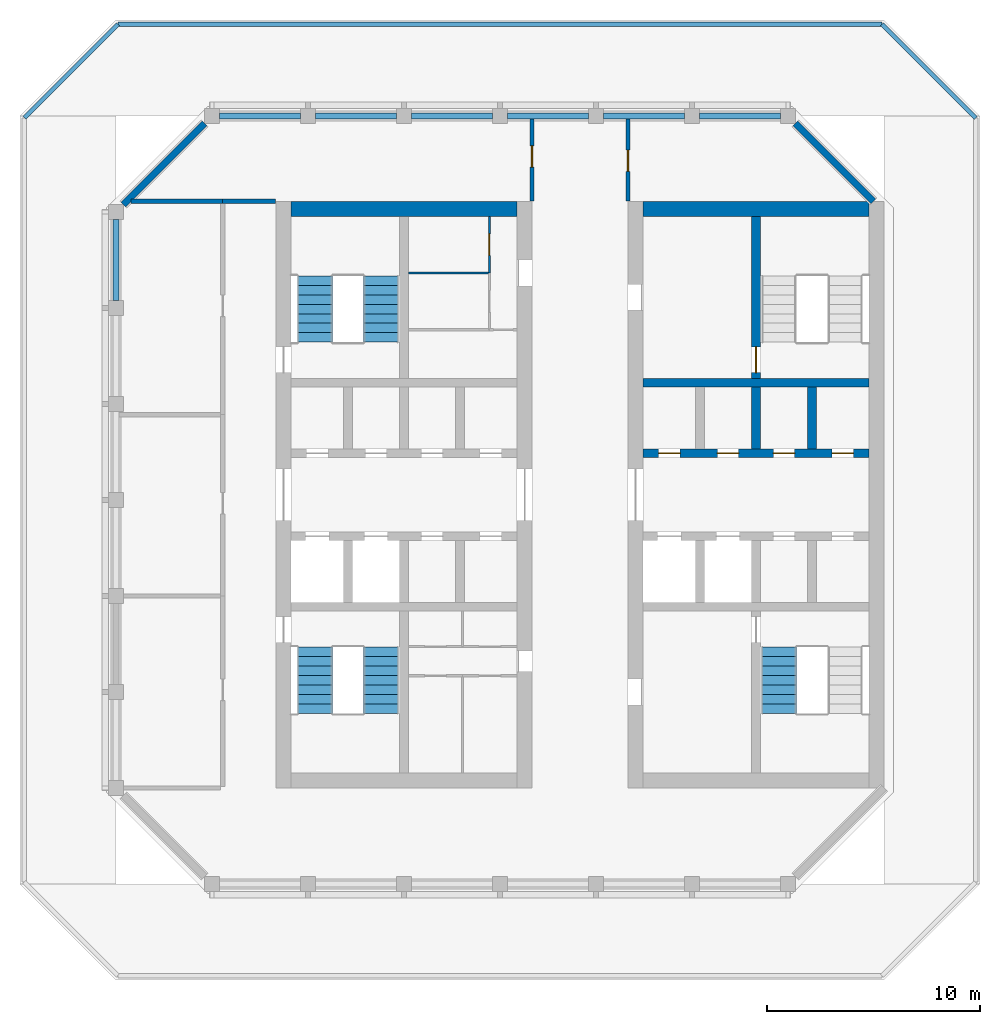
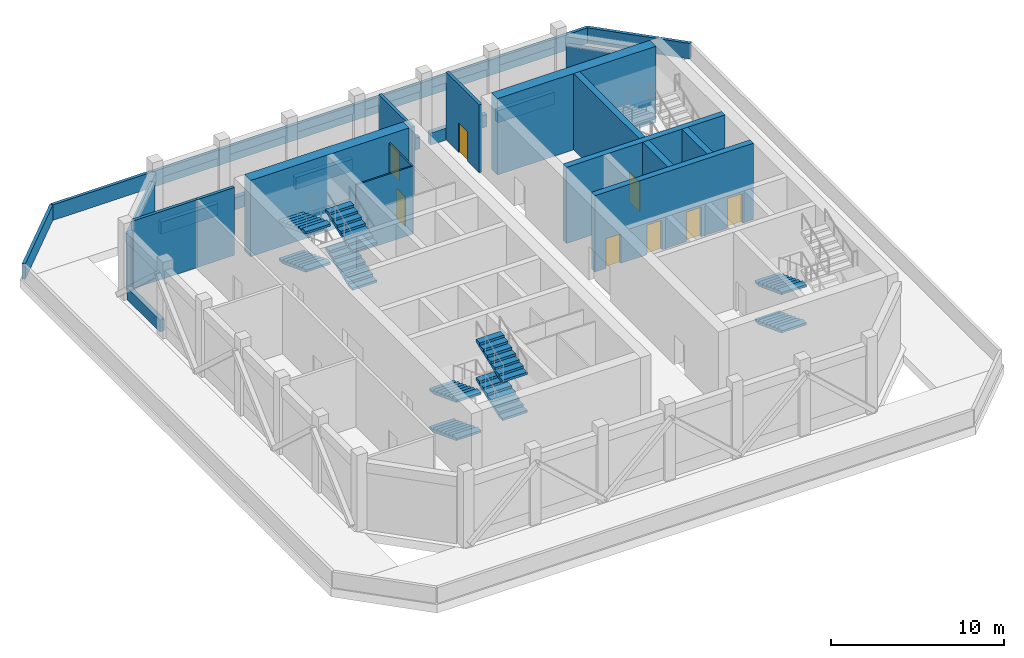
# One storey, part 4 of 8: 25 walls, 10 stair flights, 8 doors, 8 openings, 3 elements without a shape of their own.
"""IFC4 building model written with IfcOpenShell, lengths in metres."""

from ifc_helpers import new_model, si_unit, direction, frame, frame_2d, origin, place, context, subcontext, project, spatial, polyline, rectangle, outline, extrude, material, layer, layer_set, type_object, element, fill, aggregate, save


model = new_model("IFC4")

# Units and contexts
model_context = context("Model", 3, precision=1e-05, world=origin(), true_north=direction((0.0, 1.0)))
body_context = subcontext(model_context, "Body", "Model", "MODEL_VIEW")
ifc_project = project(units=[si_unit("LENGTHUNIT", "METRE"), si_unit("AREAUNIT", "SQUARE_METRE"), si_unit("VOLUMEUNIT", "CUBIC_METRE"), si_unit("PLANEANGLEUNIT", "RADIAN"), si_unit("MASSUNIT", "GRAM", prefix="KILO")], contexts=[model_context])

# Site, building, storey
site_placement = place(None, origin())
site = spatial("IfcSite", under=ifc_project, at=site_placement, CompositionType="ELEMENT")
building_placement = place(site_placement, origin())
building = spatial("IfcBuilding", under=site, at=building_placement, Name="Corbel Stack Research Tower", CompositionType="ELEMENT")
storey_placement = place(building_placement, frame((0.0, 0.0, 301.0)))
storey = spatial("IfcBuildingStorey", under=building, at=storey_placement, Name="L68", CompositionType="ELEMENT", Elevation=301.0)

# Walls
ifc_material_1 = material(Name="Concrete blockwork C20/25", Category="masonry")
ifc_layer_1 = layer(ifc_material_1, 0.199951171875)
ifc_layer_set_1 = layer_set([ifc_layer_1], Name="Concrete blockwork C20/25")
wall_type_1 = type_object("IfcWallType", Name="Blockwork partition 200", PredefinedType="PARTITIONING", material=ifc_layer_set_1)
wall_1_placement = place(storey_placement, frame((-17.294921875, 18.5, 0.0), z_axis=(0.0, 0.0, 1.0), x_axis=(1.0, 0.0, 0.0)))
element("IfcWall", 1, at=wall_1_placement, inside=storey, type_object=wall_type_1, Name="Partition L68-04", PredefinedType="PARTITIONING", context=body_context, shape_type="SweptSolid", body=[
    extrude(rectangle(XDim=4.294921875, YDim=0.199951171875, at=frame_2d((2.1474609375, 0.0))), origin(), (0.0, 0.0, 1.0), 4.800048828125),
])
wall_2_placement = place(storey_placement, frame((-13.0, 18.5, 0.0), z_axis=(0.0, 0.0, 1.0), x_axis=(1.0, 0.0, 0.0)))
element("IfcWall", 2, at=wall_2_placement, inside=storey, type_object=wall_type_1, Name="Partition L68-08", PredefinedType="PARTITIONING", context=body_context, shape_type="SweptSolid", body=[
    extrude(rectangle(XDim=2.47998046875, YDim=0.199951171875, at=frame_2d((1.239990234375, 0.0))), origin(), (0.0, 0.0, 1.0), 4.800048828125),
])

# Wall, opening, door
wall_3_placement = place(storey_placement, frame((1.5, 18.52001953125, 0.0), z_axis=(0.0, 0.0, 1.0), x_axis=(0.0, 1.0, 0.0)))
wall_3 = element("IfcWall", 3, at=wall_3_placement, inside=storey, type_object=wall_type_1, Name="Partition L68-09", PredefinedType="PARTITIONING", context=body_context, shape_type="SweptSolid", body=[
    extrude(rectangle(XDim=3.8349609375, YDim=0.199951171875, at=frame_2d((1.91748046875, 0.0))), origin(), (0.0, 0.0, 1.0), 4.800048828125),
])
opening_1_placement = place(wall_3_placement, frame((1.580078125, 0.0, 0.0)))
opening_1 = element("IfcOpeningElement", 4, at=opening_1_placement, cuts=wall_3, Name="Opening D68-04", PredefinedType="OPENING", context=body_context, shape_type="SweptSolid", body=[
    extrude(rectangle(XDim=1.0, YDim=2.10009765625, at=frame_2d((0.5, 1.050048828125))), frame((0.0, 0.10986328125, 0.0), z_axis=(0.0, -1.0, 0.0), x_axis=(1.0, 0.0, 0.0)), (0.0, 0.0, 1.0), 0.219970703125),
])
ifc_material_2 = material(Name="Steel, painted", Category="steel")
door_type_1 = type_object("IfcDoorType", Name="Steel door 1000 x 2100 FD90", OperationType="SINGLE_SWING_LEFT", PredefinedType="DOOR", material=ifc_material_2)
door_1_placement = place(opening_1_placement, origin())
door_1 = element("IfcDoor", 5, at=door_1_placement, inside=storey, type_object=door_type_1, Name="Water tank and pump room door", OperationType="SINGLE_SWING_LEFT", OverallHeight=2.10009765625, OverallWidth=1.0, PredefinedType="DOOR", context=body_context, shape_type="SweptSolid", body=[
    extrude(rectangle(XDim=1.0, YDim=2.10009765625, at=frame_2d((0.5, 1.050048828125))), frame((0.0, 0.02490234375, 0.0), z_axis=(0.0, -1.0, 0.0), x_axis=(1.0, 0.0, 0.0)), (0.0, 0.0, 1.0), 0.050048828125),
])
fill(opening_1, door_1)

wall_4_placement = place(storey_placement, frame((6.0, 22.35498046875, 0.0), z_axis=(0.0, 0.0, 1.0), x_axis=(0.0, -1.0, 0.0)))
wall_4 = element("IfcWall", 6, at=wall_4_placement, inside=storey, type_object=wall_type_1, Name="Partition L68-10", PredefinedType="PARTITIONING", context=body_context, shape_type="SweptSolid", body=[
    extrude(rectangle(XDim=3.8349609375, YDim=0.199951171875, at=frame_2d((1.91748046875, 0.0))), origin(), (0.0, 0.0, 1.0), 4.800048828125),
])
opening_2_placement = place(wall_4_placement, frame((1.455078125, 0.0, 0.0)))
opening_2 = element("IfcOpeningElement", 7, at=opening_2_placement, cuts=wall_4, Name="Opening D68-05", PredefinedType="OPENING", context=body_context, shape_type="SweptSolid", body=[
    extrude(rectangle(XDim=1.0, YDim=2.10009765625, at=frame_2d((0.5, 1.050048828125))), frame((0.0, 0.10986328125, 0.0), z_axis=(0.0, -1.0, 0.0), x_axis=(1.0, 0.0, 0.0)), (0.0, 0.0, 1.0), 0.219970703125),
])
door_2_placement = place(opening_2_placement, origin())
door_2 = element("IfcDoor", 8, at=door_2_placement, inside=storey, type_object=door_type_1, Name="Fire pump room door", OperationType="SINGLE_SWING_LEFT", OverallHeight=2.10009765625, OverallWidth=1.0, PredefinedType="DOOR", context=body_context, shape_type="SweptSolid", body=[
    extrude(rectangle(XDim=1.0, YDim=2.10009765625, at=frame_2d((0.5, 1.050048828125))), frame((0.0, 0.02490234375, 0.0), z_axis=(0.0, -1.0, 0.0), x_axis=(1.0, 0.0, 0.0)), (0.0, 0.0, 1.0), 0.050048828125),
])
fill(opening_2, door_2)

# Wall, openings, doors
ifc_material_3 = material(Name="Concrete C60/75", Category="concrete")
ifc_layer_2 = layer(ifc_material_3, 0.39990234375)
ifc_layer_set_2 = layer_set([ifc_layer_2], Name="Concrete C60/75")
wall_type_2 = type_object("IfcWallType", Name="CW-400-60", PredefinedType="SHEAR", material=ifc_layer_set_2)
wall_5_placement = place(storey_placement, frame((6.699951171875, 6.699951171875, 0.0), z_axis=(0.0, 0.0, 1.0), x_axis=(1.0, 0.0, 0.0)))
wall_5 = element("IfcWall", 9, at=wall_5_placement, inside=storey, type_object=wall_type_2, Name="East core wall, lobby north L68", PredefinedType="SHEAR", context=body_context, shape_type="SweptSolid", body=[
    extrude(rectangle(XDim=10.60009765625, YDim=0.39990234375, at=frame_2d((5.300048828125, 0.0))), origin(), (0.0, 0.0, 1.0), 5.39990234375),
])
opening_3_placement = place(wall_5_placement, frame((0.737548828125, 0.0, 0.0)))
opening_3 = element("IfcOpeningElement", 10, at=opening_3_placement, cuts=wall_5, Name="Opening CR-E54v-N1", PredefinedType="OPENING", context=body_context, shape_type="SweptSolid", body=[
    extrude(rectangle(XDim=1.0, YDim=2.10009765625, at=frame_2d((0.5, 1.050048828125))), frame((0.0, 0.2099609375, 0.0), z_axis=(0.0, -1.0, 0.0), x_axis=(1.0, 0.0, 0.0)), (0.0, 0.0, 1.0), 0.419921875),
])
opening_4_placement = place(wall_5_placement, frame((3.487548828125, 0.0, 0.0)))
opening_4 = element("IfcOpeningElement", 11, at=opening_4_placement, cuts=wall_5, Name="Opening CR-E54v-N2", PredefinedType="OPENING", context=body_context, shape_type="SweptSolid", body=[
    extrude(rectangle(XDim=1.0, YDim=2.10009765625, at=frame_2d((0.5, 1.050048828125))), frame((0.0, 0.2099609375, 0.0), z_axis=(0.0, -1.0, 0.0), x_axis=(1.0, 0.0, 0.0)), (0.0, 0.0, 1.0), 0.419921875),
])
opening_5_placement = place(wall_5_placement, frame((6.112548828125, 0.0, 0.0)))
opening_5 = element("IfcOpeningElement", 12, at=opening_5_placement, cuts=wall_5, Name="Opening CR-E54v-N3", PredefinedType="OPENING", context=body_context, shape_type="SweptSolid", body=[
    extrude(rectangle(XDim=1.0, YDim=2.10009765625, at=frame_2d((0.5, 1.050048828125))), frame((0.0, 0.2099609375, 0.0), z_axis=(0.0, -1.0, 0.0), x_axis=(1.0, 0.0, 0.0)), (0.0, 0.0, 1.0), 0.419921875),
])
opening_6_placement = place(wall_5_placement, frame((8.862548828125, 0.0, 0.0)))
opening_6 = element("IfcOpeningElement", 13, at=opening_6_placement, cuts=wall_5, Name="Opening CR-E54v-N4", PredefinedType="OPENING", context=body_context, shape_type="SweptSolid", body=[
    extrude(rectangle(XDim=1.0, YDim=2.10009765625, at=frame_2d((0.5, 1.050048828125))), frame((0.0, 0.2099609375, 0.0), z_axis=(0.0, -1.0, 0.0), x_axis=(1.0, 0.0, 0.0)), (0.0, 0.0, 1.0), 0.419921875),
])
ifc_material_4 = material(Name="Painted steel door", Category="steel")
door_type_2 = type_object("IfcDoorType", Name="Service door 1000 x 2100 FD60 left hand", OperationType="SINGLE_SWING_LEFT", PredefinedType="DOOR", material=ifc_material_4)
door_3_placement = place(opening_3_placement, origin())
door_3 = element("IfcDoor", 14, at=door_3_placement, inside=storey, type_object=door_type_2, Name="Mechanical room door E core", OperationType="SINGLE_SWING_LEFT", OverallHeight=2.10009765625, OverallWidth=1.0, PredefinedType="DOOR", context=body_context, shape_type="SweptSolid", body=[
    extrude(rectangle(XDim=1.0, YDim=2.10009765625, at=frame_2d((0.5, 1.050048828125))), frame((0.0, 0.02490234375, 0.0), z_axis=(0.0, -1.0, 0.0), x_axis=(1.0, 0.0, 0.0)), (0.0, 0.0, 1.0), 0.050048828125),
])
fill(opening_3, door_3)
door_4_placement = place(opening_5_placement, origin())
door_4 = element("IfcDoor", 15, at=door_4_placement, inside=storey, type_object=door_type_2, Name="Electrical switch room door E core", OperationType="SINGLE_SWING_LEFT", OverallHeight=2.10009765625, OverallWidth=1.0, PredefinedType="DOOR", context=body_context, shape_type="SweptSolid", body=[
    extrude(rectangle(XDim=1.0, YDim=2.10009765625, at=frame_2d((0.5, 1.050048828125))), frame((0.0, 0.02490234375, 0.0), z_axis=(0.0, -1.0, 0.0), x_axis=(1.0, 0.0, 0.0)), (0.0, 0.0, 1.0), 0.050048828125),
])
fill(opening_5, door_4)
ifc_material_5 = material(Name="Painted steel door", Category="steel")
door_type_3 = type_object("IfcDoorType", Name="Service door 1000 x 2100 FD60 right hand", OperationType="SINGLE_SWING_RIGHT", PredefinedType="DOOR", material=ifc_material_5)
door_5_placement = place(opening_4_placement, origin())
door_5 = element("IfcDoor", 16, at=door_5_placement, inside=storey, type_object=door_type_3, Name="Electrical switch room door E core", OperationType="SINGLE_SWING_RIGHT", OverallHeight=2.10009765625, OverallWidth=1.0, PredefinedType="DOOR", context=body_context, shape_type="SweptSolid", body=[
    extrude(rectangle(XDim=1.0, YDim=2.10009765625, at=frame_2d((0.5, 1.050048828125))), frame((0.0, 0.02490234375, 0.0), z_axis=(0.0, -1.0, 0.0), x_axis=(1.0, 0.0, 0.0)), (0.0, 0.0, 1.0), 0.050048828125),
])
fill(opening_4, door_5)
door_6_placement = place(opening_6_placement, origin())
door_6 = element("IfcDoor", 17, at=door_6_placement, inside=storey, type_object=door_type_3, Name="Electrical switch room door E core", OperationType="SINGLE_SWING_RIGHT", OverallHeight=2.10009765625, OverallWidth=1.0, PredefinedType="DOOR", context=body_context, shape_type="SweptSolid", body=[
    extrude(rectangle(XDim=1.0, YDim=2.10009765625, at=frame_2d((0.5, 1.050048828125))), frame((0.0, 0.02490234375, 0.0), z_axis=(0.0, -1.0, 0.0), x_axis=(1.0, 0.0, 0.0)), (0.0, 0.0, 1.0), 0.050048828125),
])
fill(opening_6, door_6)

# Walls
wall_6_placement = place(storey_placement, frame((6.699951171875, 10.0, 0.0), z_axis=(0.0, 0.0, 1.0), x_axis=(1.0, 0.0, 0.0)))
element("IfcWall", 18, at=wall_6_placement, inside=storey, type_object=wall_type_2, Name="East core wall, north row back L68", PredefinedType="SHEAR", context=body_context, shape_type="SweptSolid", body=[
    extrude(rectangle(XDim=10.60009765625, YDim=0.39990234375, at=frame_2d((5.300048828125, 0.0))), origin(), (0.0, 0.0, 1.0), 5.39990234375),
])
for number, where, z_axis, x_axis, name in (
    (19, (12.0, 6.89990234375, 0.0), (0.0, 0.0, 1.0), (0.0, 1.0, 0.0), "East core wall, north shaft 2 L68"),
    (20, (14.625, 6.89990234375, 0.0), (0.0, 0.0, 1.0), (0.0, 1.0, 0.0), "East core wall, north shaft 3 L68"),
):
    element("IfcWall", number, at=place(storey_placement, frame(where, z_axis=z_axis, x_axis=x_axis)), inside=storey, type_object=wall_type_2, Name=name, PredefinedType="SHEAR", context=body_context, shape_type="SweptSolid", body=[
        extrude(rectangle(XDim=2.900146484375, YDim=0.39990234375, at=frame_2d((1.4501953125, 0.0))), origin(), (0.0, 0.0, 1.0), 5.39990234375),
    ])

# Wall, opening, door
wall_7_placement = place(storey_placement, frame((12.0, 10.199951171875, 0.0), z_axis=(0.0, 0.0, 1.0), x_axis=(0.0, 1.0, 0.0)))
wall_7 = element("IfcWall", 21, at=wall_7_placement, inside=storey, type_object=wall_type_2, Name="East core wall, north stair and riser L68", PredefinedType="SHEAR", context=body_context, shape_type="SweptSolid", body=[
    extrude(rectangle(XDim=7.60009765625, YDim=0.39990234375, at=frame_2d((3.800048828125, 0.0))), origin(), (0.0, 0.0, 1.0), 5.39990234375),
])
opening_7_placement = place(wall_7_placement, frame((0.27490234375, 0.0, 0.0)))
opening_7 = element("IfcOpeningElement", 22, at=opening_7_placement, cuts=wall_7, Name="Opening SD-ST-E2", PredefinedType="OPENING", context=body_context, shape_type="SweptSolid", body=[
    extrude(rectangle(XDim=1.199951171875, YDim=2.10009765625, at=frame_2d((0.60009765625, 1.050048828125))), frame((0.0, 0.2099609375, 0.0), z_axis=(0.0, -1.0, 0.0), x_axis=(1.0, 0.0, 0.0)), (0.0, 0.0, 1.0), 0.419921875),
])
ifc_material_6 = material(Name="Painted steel fire door", Category="steel")
door_type_4 = type_object("IfcDoorType", Name="Stair door 1200 x 2100 FD90 right hand", OperationType="SINGLE_SWING_RIGHT", PredefinedType="DOOR", material=ifc_material_6)
door_7_placement = place(opening_7_placement, origin())
door_7 = element("IfcDoor", 23, at=door_7_placement, inside=storey, type_object=door_type_4, Name="Stair door ST-E2", OperationType="SINGLE_SWING_RIGHT", OverallHeight=2.10009765625, OverallWidth=1.199951171875, PredefinedType="DOOR", context=body_context, shape_type="SweptSolid", body=[
    extrude(rectangle(XDim=1.199951171875, YDim=2.10009765625, at=frame_2d((0.60009765625, 1.050048828125))), frame((0.0, 0.02490234375, 0.0), z_axis=(0.0, -1.0, 0.0), x_axis=(1.0, 0.0, 0.0)), (0.0, 0.0, 1.0), 0.050048828125),
])
fill(opening_7, door_7)

# Walls
ifc_material_7 = material(Name="Concrete C60/75", Category="concrete")
ifc_layer_3 = layer(ifc_material_7, 0.699951171875)
ifc_layer_set_3 = layer_set([ifc_layer_3], Name="Concrete C60/75")
wall_type_3 = type_object("IfcWallType", Name="CW-700-60", PredefinedType="SHEAR", material=ifc_layer_set_3)
for number, where, z_axis, x_axis, name in (
    (24, (-9.800048828125, 18.14990234375, 0.0), (0.0, 0.0, 1.0), (1.0, 0.0, 0.0), "West core wall, north end L68"),
    (25, (6.699951171875, 18.14990234375, 0.0), (0.0, 0.0, 1.0), (1.0, 0.0, 0.0), "East core wall, north end L68"),
):
    element("IfcWall", number, at=place(storey_placement, frame(where, z_axis=z_axis, x_axis=x_axis)), inside=storey, type_object=wall_type_3, Name=name, PredefinedType="SHEAR", context=body_context, shape_type="SweptSolid", body=[
        extrude(rectangle(XDim=10.60009765625, YDim=0.699951171875, at=frame_2d((5.300048828125, 0.0))), origin(), (0.0, 0.0, 1.0), 5.39990234375),
    ])

# Wall, opening, door
ifc_material_8 = material(Name="Gypsum board")
ifc_layer_4 = layer(ifc_material_8, 0.10009765625)
ifc_layer_set_4 = layer_set([ifc_layer_4], Name="Gypsum board")
wall_type_4 = type_object("IfcWallType", Name="Core partition 100", PredefinedType="PARTITIONING", material=ifc_layer_set_4)
wall_8_placement = place(storey_placement, frame((-0.5, 15.139892578125, 0.0), z_axis=(0.0, 0.0, 1.0), x_axis=(0.0, 1.0, 0.0)))
wall_8 = element("IfcWall", 26, at=wall_8_placement, inside=storey, type_object=wall_type_4, Name="Core partition W", PredefinedType="PARTITIONING", context=body_context, shape_type="SweptSolid", body=[
    extrude(rectangle(XDim=2.66015625, YDim=0.10009765625, at=frame_2d((1.330078125, 0.0))), origin(), (0.0, 0.0, 1.0), 4.800048828125),
])
opening_8_placement = place(wall_8_placement, frame((0.830078125, 0.0, 0.0)))
opening_8 = element("IfcOpeningElement", 27, at=opening_8_placement, cuts=wall_8, Name="Opening CR-W54-R4-1000", PredefinedType="OPENING", context=body_context, shape_type="SweptSolid", body=[
    extrude(rectangle(XDim=1.0, YDim=2.10009765625, at=frame_2d((0.5, 1.050048828125))), frame((0.0, 0.06005859375, 0.0), z_axis=(0.0, -1.0, 0.0), x_axis=(1.0, 0.0, 0.0)), (0.0, 0.0, 1.0), 0.1201171875),
])
ifc_material_9 = material(Name="Painted steel door", Category="steel")
door_type_5 = type_object("IfcDoorType", Name="Service door 1000 x 2100 FD30 right hand", OperationType="SINGLE_SWING_RIGHT", PredefinedType="DOOR", material=ifc_material_9)
door_8_placement = place(opening_8_placement, origin())
door_8 = element("IfcDoor", 28, at=door_8_placement, inside=storey, type_object=door_type_5, Name="Copy and supply store door W core", OperationType="SINGLE_SWING_RIGHT", OverallHeight=2.10009765625, OverallWidth=1.0, PredefinedType="DOOR", context=body_context, shape_type="SweptSolid", body=[
    extrude(rectangle(XDim=1.0, YDim=2.10009765625, at=frame_2d((0.5, 1.050048828125))), frame((0.0, 0.02490234375, 0.0), z_axis=(0.0, -1.0, 0.0), x_axis=(1.0, 0.0, 0.0)), (0.0, 0.0, 1.0), 0.050048828125),
])
fill(opening_8, door_8)

# Walls
wall_9_placement = place(storey_placement, frame((-4.300048828125, 15.139892578125, 0.0), z_axis=(0.0, 0.0, 1.0), x_axis=(1.0, 0.0, 0.0)))
element("IfcWall", 29, at=wall_9_placement, inside=storey, type_object=wall_type_4, Name="Core partition W", PredefinedType="PARTITIONING", context=body_context, shape_type="SweptSolid", body=[
    extrude(rectangle(XDim=3.800048828125, YDim=0.10009765625, at=frame_2d((1.89990234375, 0.0))), origin(), (0.0, 0.0, 1.0), 4.800048828125),
])
ifc_material_10 = material(Name="Concrete C45/55", Category="concrete")
ifc_layer_5 = layer(ifc_material_10, 0.300048828125)
ifc_layer_set_5 = layer_set([ifc_layer_5], Name="Concrete C45/55")
wall_type_5 = type_object("IfcWallType", Name="Precast plant wall 300 C45/55", PredefinedType="SOLIDWALL", material=ifc_layer_set_5)
wall_10_placement = place(storey_placement, frame((17.5, 18.5, 0.0), z_axis=(0.0, 0.0, 1.0), x_axis=(-0.707106781187, 0.707106781187, 0.0)))
element("IfcWall", 30, at=wall_10_placement, inside=storey, type_object=wall_type_5, Name="Plant wall L68-08", PredefinedType="SOLIDWALL", context=body_context, shape_type="SweptSolid", body=[
    extrude(rectangle(XDim=5.16162109375, YDim=0.300048828125, at=frame_2d((2.580810546875, 0.0))), origin(), (0.0, 0.0, 1.0), 4.10009765625),
])
for number, where, z_axis, x_axis, name in (
    (31, (13.14990234375, 22.5, 0.0), (0.0, 0.0, 1.0), (-1.0, 0.0, 0.0), "Plant wall base L68-09"),
    (32, (8.64990234375, 22.5, 0.0), (0.0, 0.0, 1.0), (-1.0, 0.0, 0.0), "Plant wall base L68-10"),
    (33, (4.14990234375, 22.5, 0.0), (0.0, 0.0, 1.0), (-1.0, 0.0, 0.0), "Plant wall base L68-11"),
    (34, (-0.35009765625, 22.5, 0.0), (0.0, 0.0, 1.0), (-1.0, 0.0, 0.0), "Plant wall base L68-12"),
    (35, (-4.85009765625, 22.5, 0.0), (0.0, 0.0, 1.0), (-1.0, 0.0, 0.0), "Plant wall base L68-13"),
    (36, (-9.35009765625, 22.5, 0.0), (0.0, 0.0, 1.0), (-1.0, 0.0, 0.0), "Plant wall base L68-14"),
):
    element("IfcWall", number, at=place(storey_placement, frame(where, z_axis=z_axis, x_axis=x_axis)), inside=storey, type_object=wall_type_5, Name=name, PredefinedType="SOLIDWALL", context=body_context, shape_type="SweptSolid", body=[
        extrude(rectangle(XDim=3.7998046875, YDim=0.300048828125, at=frame_2d((1.89990234375, 0.0))), origin(), (0.0, 0.0, 1.0), 0.85009765625),
    ])
wall_11_placement = place(storey_placement, frame((-13.85009765625, 22.14990234375, 0.0), z_axis=(0.0, 0.0, 1.0), x_axis=(-0.707106781187, -0.707106781187, 0.0)))
element("IfcWall", 37, at=wall_11_placement, inside=storey, type_object=wall_type_5, Name="Plant wall L68-15", PredefinedType="SOLIDWALL", context=body_context, shape_type="SweptSolid", body=[
    extrude(rectangle(XDim=5.373779296875, YDim=0.300048828125, at=frame_2d((2.68701171875, 0.0))), origin(), (0.0, 0.0, 1.0), 4.10009765625),
])
wall_12_placement = place(storey_placement, frame((-18.0, 17.64990234375, 0.0), z_axis=(0.0, 0.0, 1.0), x_axis=(0.0, -1.0, 0.0)))
element("IfcWall", 38, at=wall_12_placement, inside=storey, type_object=wall_type_5, Name="Plant wall base L68-16", PredefinedType="SOLIDWALL", context=body_context, shape_type="SweptSolid", body=[
    extrude(rectangle(XDim=3.7998046875, YDim=0.300048828125, at=frame_2d((1.89990234375, 0.0))), origin(), (0.0, 0.0, 1.0), 0.85009765625),
])
ifc_material_11 = material(Name="Concrete C45/55", Category="concrete")
ifc_layer_6 = layer(ifc_material_11, 0.199951171875)
ifc_layer_set_6 = layer_set([ifc_layer_6], Name="Concrete C45/55")
wall_type_6 = type_object("IfcWallType", Name="Roof parapet wall 200 C45/55", PredefinedType="PARAPET", material=ifc_layer_set_6)
wall_13_placement = place(storey_placement, frame((-22.300048828125, 22.417236328125, 0.0), z_axis=(0.0, 0.0, 1.0), x_axis=(0.707106781187, 0.707106781187, 0.0)))
element("IfcWall", 39, at=wall_13_placement, inside=storey, type_object=wall_type_6, Name="Terrace parapet L68-03", PredefinedType="PARAPET", context=body_context, shape_type="SweptSolid", body=[
    extrude(rectangle(XDim=6.1982421875, YDim=0.199951171875, at=frame_2d((3.09912109375, 0.0))), origin(), (0.0, 0.0, 1.0), 1.10009765625),
])
wall_14_placement = place(storey_placement, frame((-17.917236328125, 26.800048828125, 0.0), z_axis=(0.0, 0.0, 1.0), x_axis=(1.0, 0.0, 0.0)))
element("IfcWall", 40, at=wall_14_placement, inside=storey, type_object=wall_type_6, Name="Terrace parapet L68-04", PredefinedType="PARAPET", context=body_context, shape_type="SweptSolid", body=[
    extrude(rectangle(XDim=35.83447265625, YDim=0.199951171875, at=frame_2d((17.917236328125, 0.0))), origin(), (0.0, 0.0, 1.0), 1.10009765625),
])
wall_15_placement = place(storey_placement, frame((17.917236328125, 26.800048828125, 0.0), z_axis=(0.0, 0.0, 1.0), x_axis=(0.707106781187, -0.707106781187, 0.0)))
element("IfcWall", 41, at=wall_15_placement, inside=storey, type_object=wall_type_6, Name="Terrace parapet L68-05", PredefinedType="PARAPET", context=body_context, shape_type="SweptSolid", body=[
    extrude(rectangle(XDim=6.1982421875, YDim=0.199951171875, at=frame_2d((3.09912109375, 0.0))), origin(), (0.0, 0.0, 1.0), 1.10009765625),
])

# Stair, stair flights
ifc_material_12 = material(Name="Concrete C40/50", Category="concrete")
stair_type = type_object("IfcStairType", Name="Exit stair 32 risers, 443 going", PredefinedType="HALF_TURN_STAIR", material=ifc_material_12)
stair_1_placement = place(storey_placement, origin())
stair_1 = element("IfcStair", 42, at=stair_1_placement, inside=storey, type_object=stair_type, Name="L68 Exit stair ST-W1", PredefinedType="HALF_TURN_STAIR")
ifc_material_13 = material(Name="Concrete C40/50", Category="concrete")
stair_flight_type = type_object("IfcStairFlightType", Name="Stair flight 8 risers, 443 going", PredefinedType="STRAIGHT", material=ifc_material_13)
stair_flight_1_placement = place(storey_placement, frame((-8.675048828125, -2.39990234375, 0.0), z_axis=(0.0, 0.0, 1.0), x_axis=(0.0, -1.0, 0.0)))
stair_flight_1 = element("IfcStairFlight", 43, at=stair_flight_1_placement, type_object=stair_flight_type, Name="ST-W1 flight 1", NumberOfRisers=8, NumberOfTreads=7, PredefinedType="STRAIGHT", RiserHeight=0.16875, TreadLength=0.443, context=body_context, shape_type="SweptSolid", body=[
    extrude(outline(polyline([(0.0, 0.0), (0.0, 0.168701171875), (0.443115234375, 0.168701171875), (0.443115234375, 0.33740234375), (0.885986328125, 0.33740234375), (0.885986328125, 0.50634765625), (1.3291015625, 0.50634765625), (1.3291015625, 0.675048828125), (1.77197265625, 0.675048828125), (1.77197265625, 0.84375), (2.215087890625, 0.84375), (2.215087890625, 1.012451171875), (2.657958984375, 1.012451171875), (2.657958984375, 1.18115234375), (3.10107421875, 1.18115234375), (3.10107421875, 1.35009765625), (3.10107421875, 1.020751953125), (0.421142578125, 0.0), (0.0, 0.0)])), frame((0.0, 0.824951171875, 0.0), z_axis=(0.0, -1.0, 0.0), x_axis=(1.0, 0.0, 0.0)), (0.0, 0.0, 1.0), 1.64990234375),
])
stair_flight_2_placement = place(storey_placement, frame((-5.574951171875, -5.5009765625, 1.35009765625), z_axis=(0.0, 0.0, 1.0), x_axis=(0.0, 1.0, 0.0)))
stair_flight_2 = element("IfcStairFlight", 44, at=stair_flight_2_placement, type_object=stair_flight_type, Name="ST-W1 flight 2", NumberOfRisers=8, NumberOfTreads=7, PredefinedType="STRAIGHT", RiserHeight=0.16875, TreadLength=0.443, context=body_context, shape_type="SweptSolid", body=[
    extrude(outline(polyline([(0.0, 0.0), (0.0, 0.168701171875), (0.443115234375, 0.168701171875), (0.443115234375, 0.33740234375), (0.885986328125, 0.33740234375), (0.885986328125, 0.50634765625), (1.3291015625, 0.50634765625), (1.3291015625, 0.675048828125), (1.77197265625, 0.675048828125), (1.77197265625, 0.84375), (2.215087890625, 0.84375), (2.215087890625, 1.012451171875), (2.657958984375, 1.012451171875), (2.657958984375, 1.18115234375), (3.10107421875, 1.18115234375), (3.10107421875, 1.35009765625), (3.10107421875, 1.020751953125), (0.421142578125, 0.0), (0.0, 0.0)])), frame((0.0, 0.824951171875, 0.0), z_axis=(0.0, -1.0, 0.0), x_axis=(1.0, 0.0, 0.0)), (0.0, 0.0, 1.0), 1.64990234375),
])
stair_flight_3_placement = place(storey_placement, frame((-8.675048828125, -2.39990234375, 2.699951171875), z_axis=(0.0, 0.0, 1.0), x_axis=(0.0, -1.0, 0.0)))
stair_flight_3 = element("IfcStairFlight", 45, at=stair_flight_3_placement, type_object=stair_flight_type, Name="ST-W1 flight 3", NumberOfRisers=8, NumberOfTreads=7, PredefinedType="STRAIGHT", RiserHeight=0.16875, TreadLength=0.443, context=body_context, shape_type="SweptSolid", body=[
    extrude(outline(polyline([(0.0, 0.0), (0.0, 0.168701171875), (0.443115234375, 0.168701171875), (0.443115234375, 0.33740234375), (0.885986328125, 0.33740234375), (0.885986328125, 0.50634765625), (1.3291015625, 0.50634765625), (1.3291015625, 0.675048828125), (1.77197265625, 0.675048828125), (1.77197265625, 0.84375), (2.215087890625, 0.84375), (2.215087890625, 1.012451171875), (2.657958984375, 1.012451171875), (2.657958984375, 1.18115234375), (3.10107421875, 1.18115234375), (3.10107421875, 1.35009765625), (3.10107421875, 1.020751953125), (0.421142578125, 0.0), (0.0, 0.0)])), frame((0.0, 0.824951171875, 0.0), z_axis=(0.0, -1.0, 0.0), x_axis=(1.0, 0.0, 0.0)), (0.0, 0.0, 1.0), 1.64990234375),
])
stair_flight_4_placement = place(storey_placement, frame((-5.574951171875, -5.5009765625, 4.050048828125), z_axis=(0.0, 0.0, 1.0), x_axis=(0.0, 1.0, 0.0)))
stair_flight_4 = element("IfcStairFlight", 46, at=stair_flight_4_placement, type_object=stair_flight_type, Name="ST-W1 flight 4", NumberOfRisers=8, NumberOfTreads=7, PredefinedType="STRAIGHT", RiserHeight=0.16875, TreadLength=0.443, context=body_context, shape_type="SweptSolid", body=[
    extrude(outline(polyline([(0.0, 0.0), (0.0, 0.168701171875), (0.443115234375, 0.168701171875), (0.443115234375, 0.33740234375), (0.885986328125, 0.33740234375), (0.885986328125, 0.50634765625), (1.3291015625, 0.50634765625), (1.3291015625, 0.675048828125), (1.77197265625, 0.675048828125), (1.77197265625, 0.84375), (2.215087890625, 0.84375), (2.215087890625, 1.012451171875), (2.657958984375, 1.012451171875), (2.657958984375, 1.18115234375), (3.10107421875, 1.18115234375), (3.10107421875, 1.35009765625), (3.10107421875, 1.020751953125), (0.421142578125, 0.0), (0.0, 0.0)])), frame((0.0, 0.824951171875, 0.0), z_axis=(0.0, -1.0, 0.0), x_axis=(1.0, 0.0, 0.0)), (0.0, 0.0, 1.0), 1.64990234375),
])
aggregate(stair_1, [stair_flight_1, stair_flight_2, stair_flight_3, stair_flight_4])

stair_2_placement = place(storey_placement, origin())
stair_2 = element("IfcStair", 47, at=stair_2_placement, inside=storey, type_object=stair_type, Name="L68 Exit stair ST-W2", PredefinedType="HALF_TURN_STAIR")
stair_flight_5_placement = place(storey_placement, frame((-5.574951171875, 11.89990234375, 0.0), z_axis=(0.0, 0.0, 1.0), x_axis=(0.0, 1.0, 0.0)))
stair_flight_5 = element("IfcStairFlight", 48, at=stair_flight_5_placement, type_object=stair_flight_type, Name="ST-W2 flight 1", NumberOfRisers=8, NumberOfTreads=7, PredefinedType="STRAIGHT", RiserHeight=0.16875, TreadLength=0.443, context=body_context, shape_type="SweptSolid", body=[
    extrude(outline(polyline([(0.0, 0.0), (0.0, 0.168701171875), (0.443115234375, 0.168701171875), (0.443115234375, 0.33740234375), (0.885986328125, 0.33740234375), (0.885986328125, 0.50634765625), (1.3291015625, 0.50634765625), (1.3291015625, 0.675048828125), (1.77197265625, 0.675048828125), (1.77197265625, 0.84375), (2.215087890625, 0.84375), (2.215087890625, 1.012451171875), (2.657958984375, 1.012451171875), (2.657958984375, 1.18115234375), (3.10107421875, 1.18115234375), (3.10107421875, 1.35009765625), (3.10107421875, 1.020751953125), (0.421142578125, 0.0), (0.0, 0.0)])), frame((0.0, 0.824951171875, 0.0), z_axis=(0.0, -1.0, 0.0), x_axis=(1.0, 0.0, 0.0)), (0.0, 0.0, 1.0), 1.64990234375),
])
stair_flight_6_placement = place(storey_placement, frame((-8.675048828125, 15.0009765625, 1.35009765625), z_axis=(0.0, 0.0, 1.0), x_axis=(0.0, -1.0, 0.0)))
stair_flight_6 = element("IfcStairFlight", 49, at=stair_flight_6_placement, type_object=stair_flight_type, Name="ST-W2 flight 2", NumberOfRisers=8, NumberOfTreads=7, PredefinedType="STRAIGHT", RiserHeight=0.16875, TreadLength=0.443, context=body_context, shape_type="SweptSolid", body=[
    extrude(outline(polyline([(0.0, 0.0), (0.0, 0.168701171875), (0.443115234375, 0.168701171875), (0.443115234375, 0.33740234375), (0.885986328125, 0.33740234375), (0.885986328125, 0.50634765625), (1.3291015625, 0.50634765625), (1.3291015625, 0.675048828125), (1.77197265625, 0.675048828125), (1.77197265625, 0.84375), (2.215087890625, 0.84375), (2.215087890625, 1.012451171875), (2.657958984375, 1.012451171875), (2.657958984375, 1.18115234375), (3.10107421875, 1.18115234375), (3.10107421875, 1.35009765625), (3.10107421875, 1.020751953125), (0.421142578125, 0.0), (0.0, 0.0)])), frame((0.0, 0.824951171875, 0.0), z_axis=(0.0, -1.0, 0.0), x_axis=(1.0, 0.0, 0.0)), (0.0, 0.0, 1.0), 1.64990234375),
])
stair_flight_7_placement = place(storey_placement, frame((-5.574951171875, 11.89990234375, 2.699951171875), z_axis=(0.0, 0.0, 1.0), x_axis=(0.0, 1.0, 0.0)))
stair_flight_7 = element("IfcStairFlight", 50, at=stair_flight_7_placement, type_object=stair_flight_type, Name="ST-W2 flight 3", NumberOfRisers=8, NumberOfTreads=7, PredefinedType="STRAIGHT", RiserHeight=0.16875, TreadLength=0.443, context=body_context, shape_type="SweptSolid", body=[
    extrude(outline(polyline([(0.0, 0.0), (0.0, 0.168701171875), (0.443115234375, 0.168701171875), (0.443115234375, 0.33740234375), (0.885986328125, 0.33740234375), (0.885986328125, 0.50634765625), (1.3291015625, 0.50634765625), (1.3291015625, 0.675048828125), (1.77197265625, 0.675048828125), (1.77197265625, 0.84375), (2.215087890625, 0.84375), (2.215087890625, 1.012451171875), (2.657958984375, 1.012451171875), (2.657958984375, 1.18115234375), (3.10107421875, 1.18115234375), (3.10107421875, 1.35009765625), (3.10107421875, 1.020751953125), (0.421142578125, 0.0), (0.0, 0.0)])), frame((0.0, 0.824951171875, 0.0), z_axis=(0.0, -1.0, 0.0), x_axis=(1.0, 0.0, 0.0)), (0.0, 0.0, 1.0), 1.64990234375),
])
stair_flight_8_placement = place(storey_placement, frame((-8.675048828125, 15.0009765625, 4.050048828125), z_axis=(0.0, 0.0, 1.0), x_axis=(0.0, -1.0, 0.0)))
stair_flight_8 = element("IfcStairFlight", 51, at=stair_flight_8_placement, type_object=stair_flight_type, Name="ST-W2 flight 4", NumberOfRisers=8, NumberOfTreads=7, PredefinedType="STRAIGHT", RiserHeight=0.16875, TreadLength=0.443, context=body_context, shape_type="SweptSolid", body=[
    extrude(outline(polyline([(0.0, 0.0), (0.0, 0.168701171875), (0.443115234375, 0.168701171875), (0.443115234375, 0.33740234375), (0.885986328125, 0.33740234375), (0.885986328125, 0.50634765625), (1.3291015625, 0.50634765625), (1.3291015625, 0.675048828125), (1.77197265625, 0.675048828125), (1.77197265625, 0.84375), (2.215087890625, 0.84375), (2.215087890625, 1.012451171875), (2.657958984375, 1.012451171875), (2.657958984375, 1.18115234375), (3.10107421875, 1.18115234375), (3.10107421875, 1.35009765625), (3.10107421875, 1.020751953125), (0.421142578125, 0.0), (0.0, 0.0)])), frame((0.0, 0.824951171875, 0.0), z_axis=(0.0, -1.0, 0.0), x_axis=(1.0, 0.0, 0.0)), (0.0, 0.0, 1.0), 1.64990234375),
])
aggregate(stair_2, [stair_flight_5, stair_flight_6, stair_flight_7, stair_flight_8])

stair_3_placement = place(storey_placement, origin())
stair_3 = element("IfcStair", 52, at=stair_3_placement, inside=storey, type_object=stair_type, Name="L68 Exit stair ST-E1", PredefinedType="HALF_TURN_STAIR")
stair_flight_9_placement = place(storey_placement, frame((13.074951171875, -2.39990234375, 0.0), z_axis=(0.0, 0.0, 1.0), x_axis=(0.0, -1.0, 0.0)))
stair_flight_9 = element("IfcStairFlight", 53, at=stair_flight_9_placement, type_object=stair_flight_type, Name="ST-E1 flight 1", NumberOfRisers=8, NumberOfTreads=7, PredefinedType="STRAIGHT", RiserHeight=0.16875, TreadLength=0.443, context=body_context, shape_type="SweptSolid", body=[
    extrude(outline(polyline([(0.0, 0.0), (0.0, 0.168701171875), (0.443115234375, 0.168701171875), (0.443115234375, 0.33740234375), (0.885986328125, 0.33740234375), (0.885986328125, 0.50634765625), (1.3291015625, 0.50634765625), (1.3291015625, 0.675048828125), (1.77197265625, 0.675048828125), (1.77197265625, 0.84375), (2.215087890625, 0.84375), (2.215087890625, 1.012451171875), (2.657958984375, 1.012451171875), (2.657958984375, 1.18115234375), (3.10107421875, 1.18115234375), (3.10107421875, 1.35009765625), (3.10107421875, 1.020751953125), (0.421142578125, 0.0), (0.0, 0.0)])), frame((0.0, 0.824951171875, 0.0), z_axis=(0.0, -1.0, 0.0), x_axis=(1.0, 0.0, 0.0)), (0.0, 0.0, 1.0), 1.64990234375),
])
stair_flight_10_placement = place(storey_placement, frame((13.074951171875, -2.39990234375, 2.699951171875), z_axis=(0.0, 0.0, 1.0), x_axis=(0.0, -1.0, 0.0)))
stair_flight_10 = element("IfcStairFlight", 54, at=stair_flight_10_placement, type_object=stair_flight_type, Name="ST-E1 flight 3", NumberOfRisers=8, NumberOfTreads=7, PredefinedType="STRAIGHT", RiserHeight=0.16875, TreadLength=0.443, context=body_context, shape_type="SweptSolid", body=[
    extrude(outline(polyline([(0.0, 0.0), (0.0, 0.168701171875), (0.443115234375, 0.168701171875), (0.443115234375, 0.33740234375), (0.885986328125, 0.33740234375), (0.885986328125, 0.50634765625), (1.3291015625, 0.50634765625), (1.3291015625, 0.675048828125), (1.77197265625, 0.675048828125), (1.77197265625, 0.84375), (2.215087890625, 0.84375), (2.215087890625, 1.012451171875), (2.657958984375, 1.012451171875), (2.657958984375, 1.18115234375), (3.10107421875, 1.18115234375), (3.10107421875, 1.35009765625), (3.10107421875, 1.020751953125), (0.421142578125, 0.0), (0.0, 0.0)])), frame((0.0, 0.824951171875, 0.0), z_axis=(0.0, -1.0, 0.0), x_axis=(1.0, 0.0, 0.0)), (0.0, 0.0, 1.0), 1.64990234375),
])
aggregate(stair_3, [stair_flight_9, stair_flight_10])

save(model, "model.ifc")
